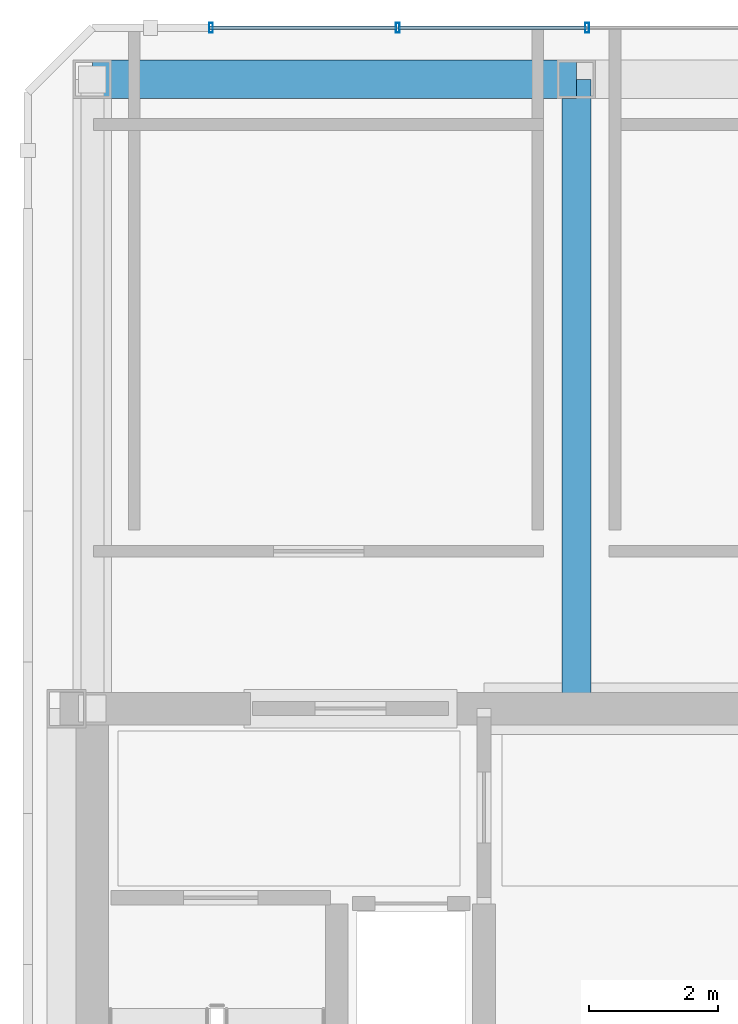
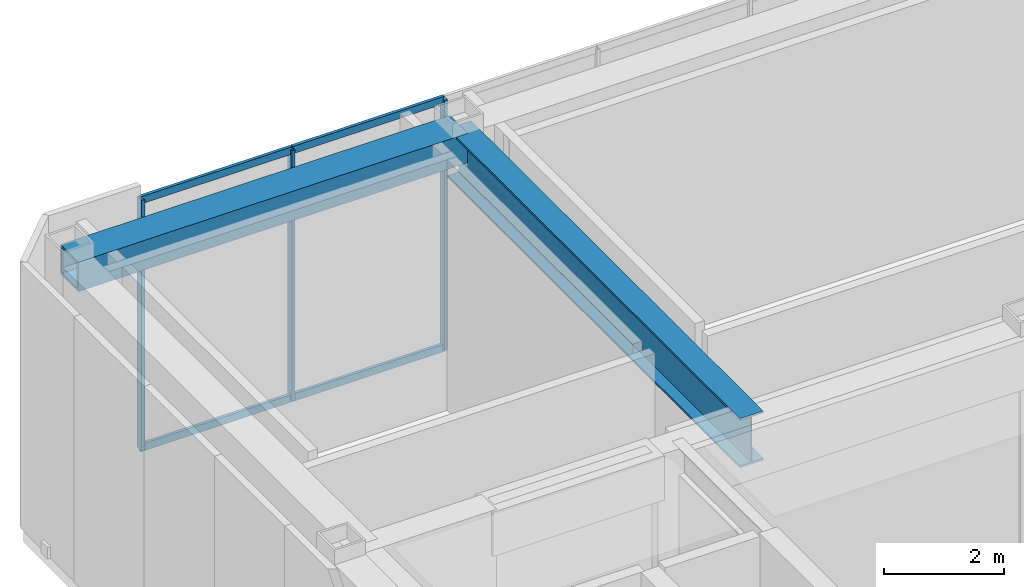
# One storey, part 2 of 9: 7 members, 2 beams, 1 element without a shape of its own.
"""IFC4 building model written with IfcOpenShell, lengths in metres."""

from ifc_helpers import new_model, si_unit, direction, frame, origin, origin_2d, place, context, subcontext, project, spatial, hollow_rectangle, i_section, extrude, material, material_profile, profile_set, type_object, element, aggregate, save


model = new_model("IFC4")

# Units and contexts
model_context = context("Model", 3, precision=1e-05, world=origin(), true_north=direction((0.0, 1.0)))
body_context = subcontext(model_context, "Body", "Model", "MODEL_VIEW")
ifc_project = project(units=[si_unit("LENGTHUNIT", "METRE"), si_unit("AREAUNIT", "SQUARE_METRE"), si_unit("VOLUMEUNIT", "CUBIC_METRE"), si_unit("PLANEANGLEUNIT", "RADIAN"), si_unit("MASSUNIT", "GRAM", prefix="KILO")], contexts=[model_context])

# Site, building, storey
site_placement = place(None, origin())
site = spatial("IfcSite", under=ifc_project, at=site_placement, CompositionType="ELEMENT")
building_placement = place(site_placement, origin())
building = spatial("IfcBuilding", under=site, at=building_placement, Name="Ventersveld Concourse Tower", CompositionType="ELEMENT")
storey_placement = place(building_placement, frame((0.0, 0.0, 372.050048828125)))
storey = spatial("IfcBuildingStorey", under=building, at=storey_placement, Name="L91", CompositionType="ELEMENT", Elevation=372.050048828125)

# Curtain wall, members
ifc_material_1 = material(Name="Anodised aluminium EN AW-6063-T6", Category="aluminium")
curtain_wall_type = type_object("IfcCurtainWallType", Name="CW-CRN-6", PredefinedType="NOTDEFINED", material=ifc_material_1)
curtain_wall_placement = place(storey_placement, origin())
curtain_wall = element("IfcCurtainWall", 1, at=curtain_wall_placement, inside=storey, type_object=curtain_wall_type, Name="L91 L91 Crown North Glazed Curtain Wall", PredefinedType="NOTDEFINED")
ifc_material_profile_1 = material_profile(ifc_material_1, hollow_rectangle(XDim=0.06005859375, YDim=0.14990234375, WallThickness=0.00390625, at=origin_2d()), Name="ALU 150x60x4")
ifc_profile_set_1 = profile_set([ifc_material_profile_1], Name="Anodised aluminium EN AW-6063-T6")
member_type_1 = type_object("IfcMemberType", Name="CWM-150x65", PredefinedType="MULLION", material=ifc_profile_set_1)
member_1_placement = place(storey_placement, frame((21.416748046875, 22.0, 0.0), z_axis=(0.0, 0.0, 1.0), x_axis=(1.0, 0.0, 0.0)))
member_1 = element("IfcMember", 2, at=member_1_placement, type_object=member_type_1, Name="CW-L91-N Mullion 08", PredefinedType="MULLION", context=body_context, shape_type="SweptSolid", body=[
    extrude(hollow_rectangle(XDim=0.06005859375, YDim=0.14990234375, WallThickness=0.00390625, at=origin_2d()), origin(), (0.0, 0.0, 1.0), 5.099853515625),
])
member_2_placement = place(storey_placement, frame((18.4833984375, 22.0, 0.0), z_axis=(0.0, 0.0, 1.0), x_axis=(1.0, 0.0, 0.0)))
member_2 = element("IfcMember", 3, at=member_2_placement, type_object=member_type_1, Name="CW-L91-N Mullion 09", PredefinedType="MULLION", context=body_context, shape_type="SweptSolid", body=[
    extrude(hollow_rectangle(XDim=0.06005859375, YDim=0.14990234375, WallThickness=0.00390625, at=origin_2d()), origin(), (0.0, 0.0, 1.0), 5.099853515625),
])
member_3_placement = place(storey_placement, frame((15.590087890625, 22.0, 0.0), z_axis=(0.0, 0.0, 1.0), x_axis=(1.0, 0.0, 0.0)))
member_3 = element("IfcMember", 4, at=member_3_placement, type_object=member_type_1, Name="CW-L91-N Mullion 10", PredefinedType="MULLION", context=body_context, shape_type="SweptSolid", body=[
    extrude(hollow_rectangle(XDim=0.06005859375, YDim=0.14990234375, WallThickness=0.00390625, at=origin_2d()), origin(), (0.0, 0.0, 1.0), 5.099853515625),
])
ifc_material_profile_2 = material_profile(ifc_material_1, hollow_rectangle(XDim=0.06005859375, YDim=0.14990234375, WallThickness=0.00390625, at=origin_2d()), Name="ALU 150x60x4")
ifc_profile_set_2 = profile_set([ifc_material_profile_2], Name="Anodised aluminium EN AW-6063-T6")
member_type_2 = type_object("IfcMemberType", Name="CWT-150x60", PredefinedType="USERDEFINED", material=ifc_profile_set_2)
member_4_placement = place(storey_placement, frame((21.40673828125, 22.0, 0.030029296875), z_axis=(-1.0, 0.0, 0.0), x_axis=(0.0, -1.0, 0.0)))
member_4 = element("IfcMember", 5, at=member_4_placement, type_object=member_type_2, Name="CW-L91-N Transom 1-08", ObjectType="TRANSOM", PredefinedType="USERDEFINED", context=body_context, shape_type="SweptSolid", body=[
    extrude(hollow_rectangle(XDim=0.06005859375, YDim=0.14990234375, WallThickness=0.00390625, at=origin_2d()), origin(), (0.0, 0.0, 1.0), 2.913330078125),
])
member_5_placement = place(storey_placement, frame((18.473388671875, 22.0, 0.030029296875), z_axis=(-1.0, 0.0, 0.0), x_axis=(0.0, -1.0, 0.0)))
member_5 = element("IfcMember", 6, at=member_5_placement, type_object=member_type_2, Name="CW-L91-N Transom 1-09", ObjectType="TRANSOM", PredefinedType="USERDEFINED", context=body_context, shape_type="SweptSolid", body=[
    extrude(hollow_rectangle(XDim=0.06005859375, YDim=0.14990234375, WallThickness=0.00390625, at=origin_2d()), origin(), (0.0, 0.0, 1.0), 2.9033203125),
])
member_6_placement = place(storey_placement, frame((21.40673828125, 22.0, 5.070068359375), z_axis=(-1.0, 0.0, 0.0), x_axis=(0.0, -1.0, 0.0)))
member_6 = element("IfcMember", 7, at=member_6_placement, type_object=member_type_2, Name="CW-L91-N Transom 2-08", ObjectType="TRANSOM", PredefinedType="USERDEFINED", context=body_context, shape_type="SweptSolid", body=[
    extrude(hollow_rectangle(XDim=0.06005859375, YDim=0.14990234375, WallThickness=0.00390625, at=origin_2d()), origin(), (0.0, 0.0, 1.0), 2.913330078125),
])
member_7_placement = place(storey_placement, frame((18.473388671875, 22.0, 5.070068359375), z_axis=(-1.0, 0.0, 0.0), x_axis=(0.0, -1.0, 0.0)))
member_7 = element("IfcMember", 8, at=member_7_placement, type_object=member_type_2, Name="CW-L91-N Transom 2-09", ObjectType="TRANSOM", PredefinedType="USERDEFINED", context=body_context, shape_type="SweptSolid", body=[
    extrude(hollow_rectangle(XDim=0.06005859375, YDim=0.14990234375, WallThickness=0.00390625, at=origin_2d()), origin(), (0.0, 0.0, 1.0), 2.9033203125),
])
aggregate(curtain_wall, [member_1, member_2, member_3, member_4, member_5, member_6, member_7])

# Beams
ifc_material_2 = material(Name="Structural steel S355ML", Category="steel")
ifc_material_profile_3 = material_profile(ifc_material_2, hollow_rectangle(XDim=0.60009765625, YDim=0.60009765625, WallThickness=0.0400390625, at=origin_2d()), Name="BOX 600x600x40")
ifc_profile_set_3 = profile_set([ifc_material_profile_3], Name="Structural steel S355ML")
beam_type_1 = type_object("IfcBeamType", Name="SPD-BOX600", PredefinedType="SPANDREL", material=ifc_profile_set_3)
beam_1_placement = place(storey_placement, frame((21.25, 21.199951171875, 4.800048828125), z_axis=(-1.0, 0.0, 0.0), x_axis=(0.0, -1.0, 0.0)))
element("IfcBeam", 9, at=beam_1_placement, inside=storey, type_object=beam_type_1, Name="L91 CROWN FRAME Perimeter Ring Beam 6", PredefinedType="SPANDREL", context=body_context, shape_type="SweptSolid", body=[
    extrude(hollow_rectangle(XDim=0.60009765625, YDim=0.60009765625, WallThickness=0.0400390625, at=origin_2d()), origin(), (0.0, 0.0, 1.0), 7.5),
])
ifc_material_3 = material(Name="Structural steel S460ML", Category="steel")
ifc_material_profile_4 = material_profile(ifc_material_3, i_section(OverallWidth=0.449951171875, OverallDepth=1.0, WebThickness=0.02392578125, FlangeThickness=0.0400390625, at=origin_2d()), Name="PG 1000x450x40")
ifc_profile_set_4 = profile_set([ifc_material_profile_4], Name="Structural steel S460ML")
beam_type_2 = type_object("IfcBeamType", Name="TG-PG1000", PredefinedType="USERDEFINED", material=ifc_profile_set_4)
beam_2_placement = place(storey_placement, frame((21.25, 11.449951171875, 4.599853515625), z_axis=(0.0, 1.0, 0.0), x_axis=(-1.0, 0.0, 0.0)))
element("IfcBeam", 10, at=beam_2_placement, inside=storey, type_object=beam_type_2, Name="L91 Crown Interior Girder W", ObjectType="TRANSFER_GIRDER", PredefinedType="USERDEFINED", context=body_context, shape_type="SweptSolid", body=[
    extrude(i_section(OverallWidth=0.449951171875, OverallDepth=1.0, WebThickness=0.02392578125, FlangeThickness=0.0400390625, at=origin_2d()), origin(), (0.0, 0.0, 1.0), 9.75),
])

save(model, "model.ifc")
